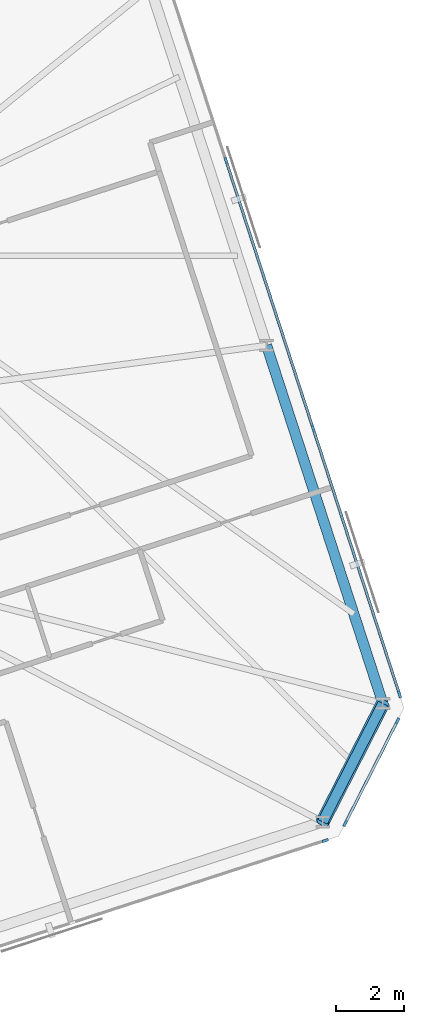
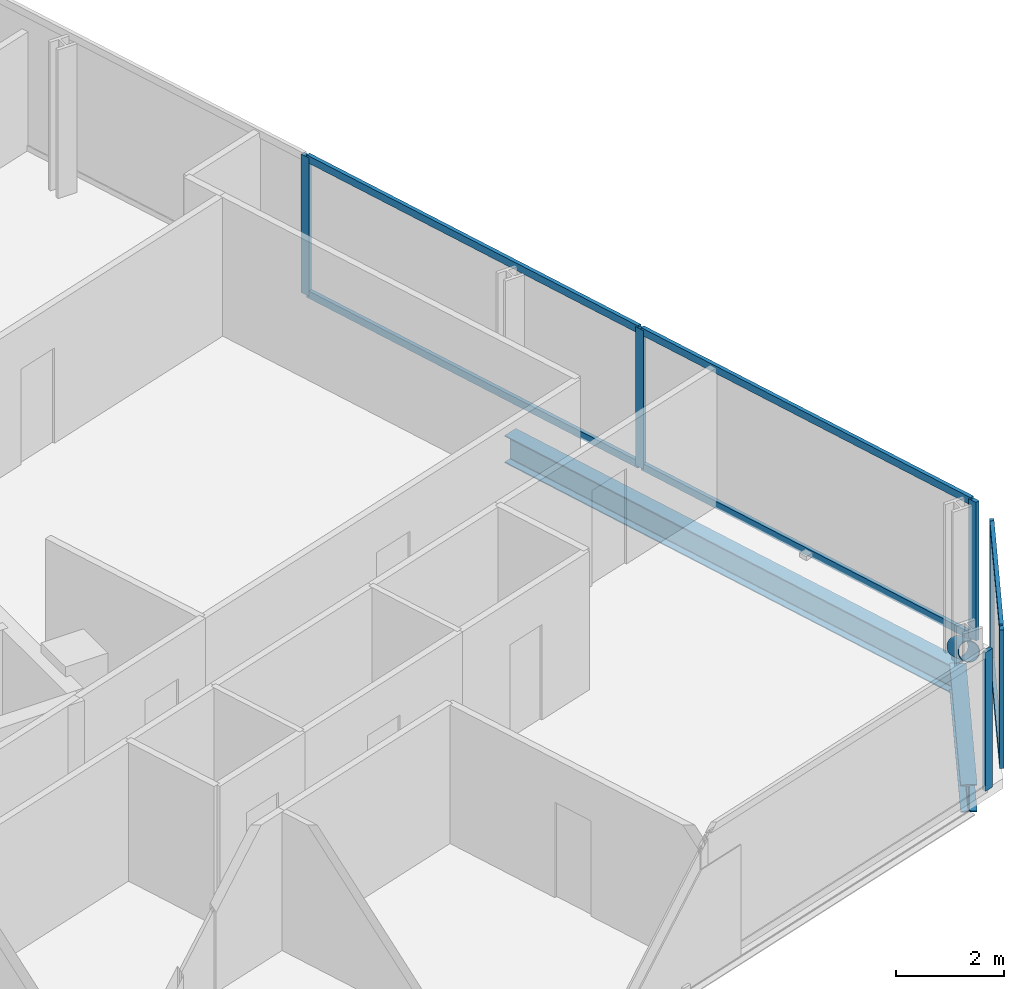
# One storey, part 11 of 20: 13 members, 2 beams, 3 elements without a shape of their own.
"""IFC4 building model written with IfcOpenShell, lengths in metres."""

from ifc_helpers import new_model, si_unit, direction, frame, origin, origin_2d, place, context, subcontext, project, spatial, rectangle, hollow_circle, i_section, extrude, material, material_profile, profile_set, type_object, element, aggregate, save


model = new_model("IFC4")

# Units and contexts
model_context = context("Model", 3, precision=1e-05, world=origin(), true_north=direction((0.0, 1.0)))
body_context = subcontext(model_context, "Body", "Model", "MODEL_VIEW")
ifc_project = project(units=[si_unit("LENGTHUNIT", "METRE"), si_unit("AREAUNIT", "SQUARE_METRE"), si_unit("VOLUMEUNIT", "CUBIC_METRE"), si_unit("PLANEANGLEUNIT", "RADIAN"), si_unit("MASSUNIT", "GRAM", prefix="KILO")], contexts=[model_context])

# Site, building, storey
site_placement = place(None, origin())
site = spatial("IfcSite", under=ifc_project, at=site_placement, CompositionType="ELEMENT")
building_placement = place(site_placement, origin())
building = spatial("IfcBuilding", under=site, at=building_placement, Name="Menara Jurai Vektor", CompositionType="ELEMENT")
storey_placement = place(building_placement, frame((0.0, 0.0, 247.75)))
storey = spatial("IfcBuildingStorey", under=building, at=storey_placement, Name="L66", CompositionType="ELEMENT", Elevation=247.75)

# Curtain wall, member
ifc_material_1 = material(Name="Anodised Pale Aluminium & Low-E Double Glazing", Category="aluminium")
curtain_wall_type = type_object("IfcCurtainWallType", Name="CW-BLK4", PredefinedType="NOTDEFINED", material=ifc_material_1)
curtain_wall_1_placement = place(storey_placement, origin())
curtain_wall_1 = element("IfcCurtainWall", 1, at=curtain_wall_1_placement, inside=storey, type_object=curtain_wall_type, Name="Unitised Curtain Wall L66 F01", PredefinedType="NOTDEFINED")
ifc_material_2 = material(Name="Anodised Pale Aluminium Mullion", Category="aluminium")
ifc_material_profile_1 = material_profile(ifc_material_2, rectangle(XDim=0.080078125, YDim=0.18994140625, at=origin_2d()), Name="ALU MUL 80x190")
ifc_profile_set_1 = profile_set([ifc_material_profile_1], Name="Anodised Pale Aluminium Mullion")
member_type_1 = type_object("IfcMemberType", Name="CW-BLK4-MUL", PredefinedType="MULLION", material=ifc_profile_set_1)
member_1_placement = place(storey_placement, frame((29.810546875, -12.698486328125, 0.0), z_axis=(0.0, 0.0, 1.0), x_axis=(-0.309017344167, 0.951056402641, 0.0)))
member_1 = element("IfcMember", 2, at=member_1_placement, type_object=member_type_1, Name="CW-04 mullion 8", PredefinedType="MULLION", context=body_context, shape_type="SweptSolid", body=[
    extrude(rectangle(XDim=0.080078125, YDim=0.18994140625, at=origin_2d()), origin(), (0.0, 0.0, 1.0), 3.125),
])
aggregate(curtain_wall_1, [member_1])

# Curtain wall, members
curtain_wall_2_placement = place(storey_placement, origin())
curtain_wall_2 = element("IfcCurtainWall", 3, at=curtain_wall_2_placement, inside=storey, type_object=curtain_wall_type, Name="Unitised Curtain Wall L66 F02", PredefinedType="NOTDEFINED")
member_2_placement = place(storey_placement, frame((30.400634765625, -12.194580078125, 0.0), z_axis=(0.0, 0.0, 1.0), x_axis=(-0.89100750243, 0.453988579828, 0.0)))
member_2 = element("IfcMember", 4, at=member_2_placement, type_object=member_type_1, Name="CW-04 mullion 1", PredefinedType="MULLION", context=body_context, shape_type="SweptSolid", body=[
    extrude(rectangle(XDim=0.080078125, YDim=0.18994140625, at=origin_2d()), origin(), (0.0, 0.0, 1.0), 3.125),
])
member_3_placement = place(storey_placement, frame((31.9453125, -9.16259765625, 0.0), z_axis=(0.0, 0.0, 1.0), x_axis=(-0.89100750243, 0.453988579828, 0.0)))
member_3 = element("IfcMember", 5, at=member_3_placement, type_object=member_type_1, Name="CW-04 mullion 2", PredefinedType="MULLION", context=body_context, shape_type="SweptSolid", body=[
    extrude(rectangle(XDim=0.080078125, YDim=0.18994140625, at=origin_2d()), origin(), (0.0, 0.0, 1.0), 3.125),
])

curtain_wall_3_placement = place(storey_placement, origin())
curtain_wall_3 = element("IfcCurtainWall", 6, at=curtain_wall_3_placement, inside=storey, type_object=curtain_wall_type, Name="Unitised Curtain Wall L66 F03", PredefinedType="NOTDEFINED")
member_4_placement = place(storey_placement, frame((32.00634765625, -8.388916015625, 0.0), z_axis=(0.0, 0.0, 1.0), x_axis=(-0.95105668295, -0.309016481464, 0.0)))
member_4 = element("IfcMember", 7, at=member_4_placement, type_object=member_type_1, Name="CW-04 mullion 1", PredefinedType="MULLION", context=body_context, shape_type="SweptSolid", body=[
    extrude(rectangle(XDim=0.080078125, YDim=0.18994140625, at=origin_2d()), origin(), (0.0, 0.0, 1.0), 3.125),
])
member_5_placement = place(storey_placement, frame((29.45068359375, -0.523681640625, 0.0), z_axis=(0.0, 0.0, 1.0), x_axis=(-0.95105668295, -0.309016481464, 0.0)))
member_5 = element("IfcMember", 8, at=member_5_placement, type_object=member_type_1, Name="CW-04 mullion 2", PredefinedType="MULLION", context=body_context, shape_type="SweptSolid", body=[
    extrude(rectangle(XDim=0.080078125, YDim=0.18994140625, at=origin_2d()), origin(), (0.0, 0.0, 1.0), 3.125),
])
member_6_placement = place(storey_placement, frame((26.8828125, 7.379638671875, 0.0), z_axis=(0.0, 0.0, 1.0), x_axis=(-0.95105668295, -0.309016481464, 0.0)))
member_6 = element("IfcMember", 9, at=member_6_placement, type_object=member_type_1, Name="CW-04 mullion 3", PredefinedType="MULLION", context=body_context, shape_type="SweptSolid", body=[
    extrude(rectangle(XDim=0.080078125, YDim=0.18994140625, at=origin_2d()), origin(), (0.0, 0.0, 1.0), 3.125),
])

# Member
ifc_material_3 = material(Name="Anodised Pale Aluminium Transom", Category="aluminium")
ifc_material_profile_2 = material_profile(ifc_material_3, rectangle(XDim=0.080078125, YDim=0.1650390625, at=origin_2d()), Name="ALU TRN 80x165")
ifc_profile_set_2 = profile_set([ifc_material_profile_2], Name="Anodised Pale Aluminium Transom")
member_type_2 = type_object("IfcMemberType", Name="CW-BLK4-TRN", PredefinedType="USERDEFINED", material=ifc_profile_set_2)
member_7_placement = place(storey_placement, frame((30.418701171875, -12.158935546875, 0.0400390625), z_axis=(0.453989617444, 0.89100697374, 0.0), x_axis=(-0.89100697374, 0.453989617444, 0.0)))
member_7 = element("IfcMember", 10, at=member_7_placement, type_object=member_type_2, Name="CW-04 transom 1.1", ObjectType="TRANSOM", PredefinedType="USERDEFINED", context=body_context, shape_type="SweptSolid", body=[
    extrude(rectangle(XDim=0.080078125, YDim=0.1650390625, at=origin_2d()), origin(), (0.0, 0.0, 1.0), 3.32275390625),
])

member_8_placement = place(storey_placement, frame((30.418701171875, -12.158935546875, 3.0849609375), z_axis=(0.453989617444, 0.89100697374, 0.0), x_axis=(-0.89100697374, 0.453989617444, 0.0)))
member_8 = element("IfcMember", 11, at=member_8_placement, type_object=member_type_2, Name="CW-04 transom 1.2", ObjectType="TRANSOM", PredefinedType="USERDEFINED", context=body_context, shape_type="SweptSolid", body=[
    extrude(rectangle(XDim=0.080078125, YDim=0.1650390625, at=origin_2d()), origin(), (0.0, 0.0, 1.0), 3.32275390625),
])

aggregate(curtain_wall_2, [member_2, member_3, member_7, member_8])

member_9_placement = place(storey_placement, frame((31.993896484375, -8.350830078125, 0.0400390625), z_axis=(-0.309010577384, 0.951058601278, 0.0), x_axis=(-0.951058601278, -0.309010577384, 0.0)))
member_9 = element("IfcMember", 12, at=member_9_placement, type_object=member_type_2, Name="CW-04 transom 1.1", ObjectType="TRANSOM", PredefinedType="USERDEFINED", context=body_context, shape_type="SweptSolid", body=[
    extrude(rectangle(XDim=0.080078125, YDim=0.1650390625, at=origin_2d()), origin(), (0.0, 0.0, 1.0), 8.18994140625),
])

member_10_placement = place(storey_placement, frame((31.993896484375, -8.350830078125, 3.0849609375), z_axis=(-0.309010577384, 0.951058601278, 0.0), x_axis=(-0.951058601278, -0.309010577384, 0.0)))
member_10 = element("IfcMember", 13, at=member_10_placement, type_object=member_type_2, Name="CW-04 transom 1.2", ObjectType="TRANSOM", PredefinedType="USERDEFINED", context=body_context, shape_type="SweptSolid", body=[
    extrude(rectangle(XDim=0.080078125, YDim=0.1650390625, at=origin_2d()), origin(), (0.0, 0.0, 1.0), 8.18994140625),
])

member_11_placement = place(storey_placement, frame((29.438232421875, -0.485595703125, 0.0400390625), z_axis=(-0.309018994408, 0.951055866443, 0.0), x_axis=(-0.951055866443, -0.309018994408, 0.0)))
member_11 = element("IfcMember", 14, at=member_11_placement, type_object=member_type_2, Name="CW-04 transom 2.1", ObjectType="TRANSOM", PredefinedType="USERDEFINED", context=body_context, shape_type="SweptSolid", body=[
    extrude(rectangle(XDim=0.080078125, YDim=0.1650390625, at=origin_2d()), origin(), (0.0, 0.0, 1.0), 8.22998046875),
])

member_12_placement = place(storey_placement, frame((29.438232421875, -0.485595703125, 3.0849609375), z_axis=(-0.309018994408, 0.951055866443, 0.0), x_axis=(-0.951055866443, -0.309018994408, 0.0)))
member_12 = element("IfcMember", 15, at=member_12_placement, type_object=member_type_2, Name="CW-04 transom 2.2", ObjectType="TRANSOM", PredefinedType="USERDEFINED", context=body_context, shape_type="SweptSolid", body=[
    extrude(rectangle(XDim=0.080078125, YDim=0.1650390625, at=origin_2d()), origin(), (0.0, 0.0, 1.0), 8.22998046875),
])

aggregate(curtain_wall_3, [member_4, member_5, member_6, member_9, member_10, member_11, member_12])

ifc_material_4 = material(Name="Steel S460", Category="steel")
ifc_material_profile_3 = material_profile(ifc_material_4, hollow_circle(Radius=0.203125, WallThickness=0.01611328125, at=origin_2d()), Name="CHS 406.4x16")
ifc_profile_set_3 = profile_set([ifc_material_profile_3], Name="Steel S460")
member_type_3 = type_object("IfcMemberType", Name="STR-BR-406", PredefinedType="BRACE", material=ifc_profile_set_3)
member_13_placement = place(storey_placement, frame((31.513427734375, -8.652099609375, 0.14990234375), z_axis=(-0.377239531316, -0.740351985533, 0.55638949804), x_axis=(0.891000997215, -0.454001346872, 0.0)))
element("IfcMember", 16, at=member_13_placement, inside=storey, type_object=member_type_3, Name="Exoskeleton Corner Brace L66-1", PredefinedType="BRACE", context=body_context, shape_type="SweptSolid", body=[
    extrude(hollow_circle(Radius=0.203125, WallThickness=0.01611328125, at=origin_2d()), origin(), (0.0, 0.0, 1.0), 4.718017578125),
])

# Beams
ifc_material_5 = material(Name="Steel S355", Category="steel")
ifc_material_profile_4 = material_profile(ifc_material_5, i_section(OverallWidth=0.306884765625, OverallDepth=0.6201171875, WebThickness=0.013916015625, FlangeThickness=0.02392578125, FilletRadius=0.01708984375, at=origin_2d()), Name="UKB 610x305x179")
ifc_profile_set_4 = profile_set([ifc_material_profile_4], Name="Steel S355")
beam_type = type_object("IfcBeamType", Name="STR-SP-610", PredefinedType="SPANDREL", material=ifc_profile_set_4)
beam_1_placement = place(storey_placement, frame((29.7333984375, -12.14501953125, -0.534912109375), z_axis=(0.454050785633, 0.890975804423, 0.0), x_axis=(-0.890975804423, 0.454050785633, 0.0)))
element("IfcBeam", 17, at=beam_1_placement, inside=storey, type_object=beam_type, Name="Exoskeleton Spandrel Beam L66-06", PredefinedType="SPANDREL", context=body_context, shape_type="SweptSolid", body=[
    extrude(i_section(OverallWidth=0.306884765625, OverallDepth=0.6201171875, WebThickness=0.013916015625, FlangeThickness=0.02392578125, FilletRadius=0.01708984375, at=origin_2d()), origin(), (0.0, 0.0, 1.0), 3.92041015625),
])
beam_2_placement = place(storey_placement, frame((31.513427734375, -8.652099609375, -0.534912109375), z_axis=(-0.309012092614, 0.95105810896, 0.0), x_axis=(-0.95105810896, -0.309012092614, 0.0)))
element("IfcBeam", 18, at=beam_2_placement, inside=storey, type_object=beam_type, Name="Exoskeleton Spandrel Beam L66-07", PredefinedType="SPANDREL", context=body_context, shape_type="SweptSolid", body=[
    extrude(i_section(OverallWidth=0.306884765625, OverallDepth=0.6201171875, WebThickness=0.013916015625, FlangeThickness=0.02392578125, FilletRadius=0.01708984375, at=origin_2d()), origin(), (0.0, 0.0, 1.0), 11.11865234375),
])

save(model, "model.ifc")
